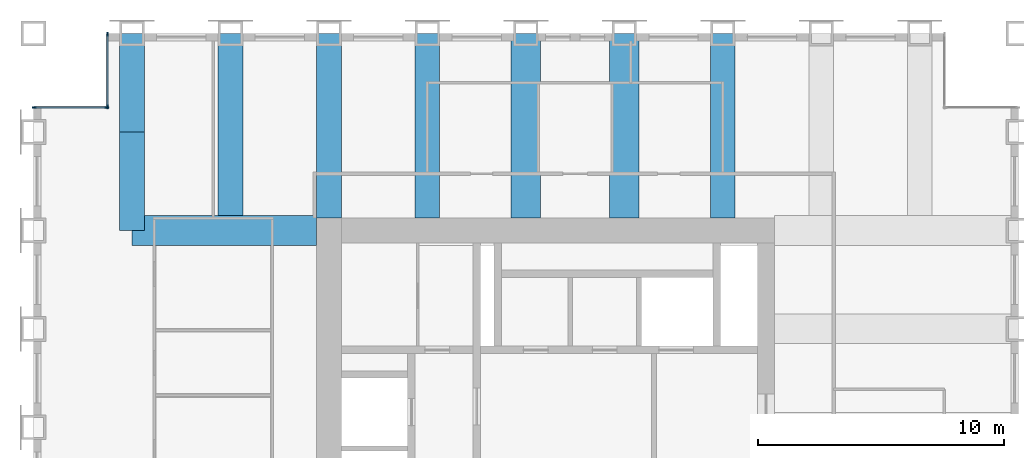
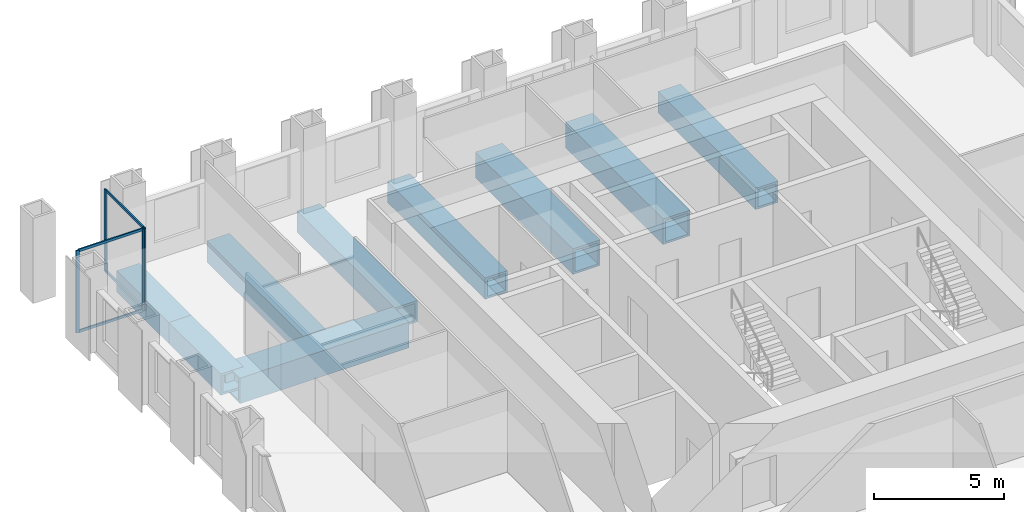
# One storey, part 4 of 10: 9 beams, 8 members, 2 elements without a shape of their own.
"""IFC4 building model written with IfcOpenShell, lengths in metres."""

from ifc_helpers import new_model, si_unit, direction, frame, origin, origin_2d, place, context, subcontext, project, spatial, rectangle, hollow_rectangle, extrude, material, material_profile, profile_set, type_object, element, aggregate, save


model = new_model("IFC4")

# Units and contexts
model_context = context("Model", 3, precision=1e-05, world=origin(), true_north=direction((0.0, 1.0)))
body_context = subcontext(model_context, "Body", "Model", "MODEL_VIEW")
ifc_project = project(units=[si_unit("LENGTHUNIT", "METRE"), si_unit("AREAUNIT", "SQUARE_METRE"), si_unit("VOLUMEUNIT", "CUBIC_METRE"), si_unit("PLANEANGLEUNIT", "RADIAN"), si_unit("MASSUNIT", "GRAM", prefix="KILO")], contexts=[model_context])

# Site, building, storey
site_placement = place(None, origin())
site = spatial("IfcSite", under=ifc_project, at=site_placement, CompositionType="ELEMENT")
building_placement = place(site_placement, origin())
building = spatial("IfcBuilding", under=site, at=building_placement, Name="Rimbunsela Tower", CompositionType="ELEMENT")
storey_placement = place(building_placement, frame((0.0, 0.0, 274.199951171875)))
storey = spatial("IfcBuildingStorey", under=building, at=storey_placement, Name="L66", CompositionType="ELEMENT", Elevation=274.199951171875)

# Beams
ifc_material_1 = material(Name="Steel BJ 55 (fy 410 MPa)", Category="steel")
ifc_material_profile_1 = material_profile(ifc_material_1, hollow_rectangle(XDim=1.0, YDim=1.0, WallThickness=0.10009765625, at=origin_2d()), Name="BOX 1000x1000x100")
ifc_profile_set_1 = profile_set([ifc_material_profile_1], Name="Steel BJ 55 (fy 410 MPa)")
beam_type_1 = type_object("IfcBeamType", Name="Beam BOX 1000x1000x100", PredefinedType="BEAM", material=ifc_profile_set_1)
for number, where, z_axis, x_axis, name in (
    (1, (10.0, 36.0, -0.64990234375), (0.0, 1.0, 0.0), (-1.0, 0.0, 0.0), "Beam B3 L66"),
    (2, (10.0, 40.0, -0.64990234375), (0.0, 1.0, 0.0), (-1.0, 0.0, 0.0), "Beam B3 L66"),
):
    element("IfcBeam", number, at=place(storey_placement, frame(where, z_axis=z_axis, x_axis=x_axis)), inside=storey, type_object=beam_type_1, Name=name, PredefinedType="BEAM", context=body_context, shape_type="SweptSolid", body=[
        extrude(hollow_rectangle(XDim=1.0, YDim=1.0, WallThickness=0.10009765625, at=origin_2d()), origin(), (0.0, 0.0, 1.0), 4.0),
    ])
beam_placement = place(storey_placement, frame((14.0, 36.60009765625, -0.64990234375), z_axis=(0.0, 1.0, 0.0), x_axis=(-1.0, 0.0, 0.0)))
element("IfcBeam", 3, at=beam_placement, inside=storey, type_object=beam_type_1, Name="Beam B3 L66", PredefinedType="BEAM", context=body_context, shape_type="SweptSolid", body=[
    extrude(hollow_rectangle(XDim=1.0, YDim=1.0, WallThickness=0.10009765625, at=origin_2d()), origin(), (0.0, 0.0, 1.0), 7.39990234375),
])
for number, where, z_axis, x_axis, name in (
    (4, (18.0, 36.5, -0.64990234375), (0.0, 1.0, 0.0), (-1.0, 0.0, 0.0), "Beam B3 L66"),
    (5, (22.0, 36.5, -0.64990234375), (0.0, 1.0, 0.0), (-1.0, 0.0, 0.0), "Beam B3 L66"),
    (6, (34.0, 36.5, -0.64990234375), (0.0, 1.0, 0.0), (-1.0, 0.0, 0.0), "Beam B3 L66"),
):
    element("IfcBeam", number, at=place(storey_placement, frame(where, z_axis=z_axis, x_axis=x_axis)), inside=storey, type_object=beam_type_1, Name=name, PredefinedType="BEAM", context=body_context, shape_type="SweptSolid", body=[
        extrude(hollow_rectangle(XDim=1.0, YDim=1.0, WallThickness=0.10009765625, at=origin_2d()), origin(), (0.0, 0.0, 1.0), 7.5),
    ])
ifc_material_2 = material(Name="Steel BJ 55 (fy 410 MPa)", Category="steel")
ifc_material_profile_2 = material_profile(ifc_material_2, hollow_rectangle(XDim=1.199951171875, YDim=1.199951171875, WallThickness=0.10009765625, at=origin_2d()), Name="BOX 1200x1200x100")
ifc_profile_set_2 = profile_set([ifc_material_profile_2], Name="Steel BJ 55 (fy 410 MPa)")
beam_type_2 = type_object("IfcBeamType", Name="Beam BOX 1200x1200x100", PredefinedType="BEAM", material=ifc_profile_set_2)
for number, where, z_axis, x_axis, name in (
    (7, (10.0, 36.0, -0.75), (1.0, 0.0, 0.0), (0.0, 1.0, 0.0), "Beam B5 L66"),
    (8, (26.0, 36.5, -0.75), (0.0, 1.0, 0.0), (-1.0, 0.0, 0.0), "Beam B5 L66"),
    (9, (30.0, 36.5, -0.75), (0.0, 1.0, 0.0), (-1.0, 0.0, 0.0), "Beam B5 L66"),
):
    element("IfcBeam", number, at=place(storey_placement, frame(where, z_axis=z_axis, x_axis=x_axis)), inside=storey, type_object=beam_type_2, Name=name, PredefinedType="BEAM", context=body_context, shape_type="SweptSolid", body=[
        extrude(hollow_rectangle(XDim=1.199951171875, YDim=1.199951171875, WallThickness=0.10009765625, at=origin_2d()), origin(), (0.0, 0.0, 1.0), 7.5),
    ])

# Curtain wall, members
ifc_material_3 = material(Name="Aluminium curtain wall", Category="aluminium")
curtain_wall_type = type_object("IfcCurtainWallType", Name="Corner glazing", PredefinedType="USERDEFINED", material=ifc_material_3)
curtain_wall_1_placement = place(storey_placement, origin())
curtain_wall_1 = element("IfcCurtainWall", 10, at=curtain_wall_1_placement, inside=storey, type_object=curtain_wall_type, Name="Corner glazing L66", ObjectType="CORNER GLAZING", PredefinedType="USERDEFINED")
ifc_material_4 = material(Name="Aluminium mullion", Category="aluminium")
ifc_material_profile_3 = material_profile(ifc_material_4, rectangle(XDim=0.06005859375, YDim=0.159912109375, at=origin_2d()), Name="Mullion 60x160")
ifc_profile_set_3 = profile_set([ifc_material_profile_3], Name="Aluminium mullion")
member_type_1 = type_object("IfcMemberType", Name="Curtain wall mullion 60x160", PredefinedType="MULLION", material=ifc_profile_set_3)
member_1_placement = place(storey_placement, frame((9.0, 43.969970703125, 0.0), z_axis=(0.0, 0.0, 1.0), x_axis=(1.0, 0.0, 0.0)))
member_1 = element("IfcMember", 11, at=member_1_placement, type_object=member_type_1, Name="CW5 mullion 1", PredefinedType="MULLION", context=body_context, shape_type="SweptSolid", body=[
    extrude(rectangle(XDim=0.06005859375, YDim=0.159912109375, at=origin_2d()), origin(), (0.0, 0.0, 1.0), 3.85009765625),
])
member_2_placement = place(storey_placement, frame((9.0, 41.030029296875, 0.0), z_axis=(0.0, 0.0, 1.0), x_axis=(1.0, 0.0, 0.0)))
member_2 = element("IfcMember", 12, at=member_2_placement, type_object=member_type_1, Name="CW5 mullion 2", PredefinedType="MULLION", context=body_context, shape_type="SweptSolid", body=[
    extrude(rectangle(XDim=0.06005859375, YDim=0.159912109375, at=origin_2d()), origin(), (0.0, 0.0, 1.0), 3.85009765625),
])

curtain_wall_2_placement = place(storey_placement, origin())
curtain_wall_2 = element("IfcCurtainWall", 13, at=curtain_wall_2_placement, inside=storey, type_object=curtain_wall_type, Name="Corner glazing L66", ObjectType="CORNER GLAZING", PredefinedType="USERDEFINED")
member_3_placement = place(storey_placement, frame((8.969970703125, 41.0, 0.0), z_axis=(0.0, 0.0, 1.0), x_axis=(0.0, -1.0, 0.0)))
member_3 = element("IfcMember", 14, at=member_3_placement, type_object=member_type_1, Name="CW5 mullion 1", PredefinedType="MULLION", context=body_context, shape_type="SweptSolid", body=[
    extrude(rectangle(XDim=0.06005859375, YDim=0.159912109375, at=origin_2d()), origin(), (0.0, 0.0, 1.0), 3.85009765625),
])
member_4_placement = place(storey_placement, frame((6.030029296875, 41.0, 0.0), z_axis=(0.0, 0.0, 1.0), x_axis=(0.0, -1.0, 0.0)))
member_4 = element("IfcMember", 15, at=member_4_placement, type_object=member_type_1, Name="CW5 mullion 2", PredefinedType="MULLION", context=body_context, shape_type="SweptSolid", body=[
    extrude(rectangle(XDim=0.06005859375, YDim=0.159912109375, at=origin_2d()), origin(), (0.0, 0.0, 1.0), 3.85009765625),
])

# Member
ifc_material_5 = material(Name="Aluminium transom", Category="aluminium")
ifc_material_profile_4 = material_profile(ifc_material_5, rectangle(XDim=0.06005859375, YDim=0.1201171875, at=origin_2d()), Name="Transom 60x120")
ifc_profile_set_4 = profile_set([ifc_material_profile_4], Name="Aluminium transom")
member_type_2 = type_object("IfcMemberType", Name="Curtain wall transom 60x120", PredefinedType="USERDEFINED", material=ifc_profile_set_4)
member_5_placement = place(storey_placement, frame((9.0, 43.93994140625, 0.030029296875), z_axis=(0.0, -1.0, 0.0), x_axis=(1.0, 0.0, 0.0)))
member_5 = element("IfcMember", 16, at=member_5_placement, type_object=member_type_2, Name="CW5 transom 1.1", ObjectType="TRANSOM", PredefinedType="USERDEFINED", context=body_context, shape_type="SweptSolid", body=[
    extrude(rectangle(XDim=0.06005859375, YDim=0.1201171875, at=origin_2d()), origin(), (0.0, 0.0, 1.0), 2.8798828125),
])

member_6_placement = place(storey_placement, frame((9.0, 43.93994140625, 3.820068359375), z_axis=(0.0, -1.0, 0.0), x_axis=(1.0, 0.0, 0.0)))
member_6 = element("IfcMember", 17, at=member_6_placement, type_object=member_type_2, Name="CW5 transom 1.2", ObjectType="TRANSOM", PredefinedType="USERDEFINED", context=body_context, shape_type="SweptSolid", body=[
    extrude(rectangle(XDim=0.06005859375, YDim=0.1201171875, at=origin_2d()), origin(), (0.0, 0.0, 1.0), 2.8798828125),
])

aggregate(curtain_wall_1, [member_1, member_2, member_5, member_6])

member_7_placement = place(storey_placement, frame((8.93994140625, 41.0, 0.030029296875), z_axis=(-1.0, 0.0, 0.0), x_axis=(0.0, -1.0, 0.0)))
member_7 = element("IfcMember", 18, at=member_7_placement, type_object=member_type_2, Name="CW5 transom 1.1", ObjectType="TRANSOM", PredefinedType="USERDEFINED", context=body_context, shape_type="SweptSolid", body=[
    extrude(rectangle(XDim=0.06005859375, YDim=0.1201171875, at=origin_2d()), origin(), (0.0, 0.0, 1.0), 2.8798828125),
])

member_8_placement = place(storey_placement, frame((8.93994140625, 41.0, 3.820068359375), z_axis=(-1.0, 0.0, 0.0), x_axis=(0.0, -1.0, 0.0)))
member_8 = element("IfcMember", 19, at=member_8_placement, type_object=member_type_2, Name="CW5 transom 1.2", ObjectType="TRANSOM", PredefinedType="USERDEFINED", context=body_context, shape_type="SweptSolid", body=[
    extrude(rectangle(XDim=0.06005859375, YDim=0.1201171875, at=origin_2d()), origin(), (0.0, 0.0, 1.0), 2.8798828125),
])

aggregate(curtain_wall_2, [member_3, member_4, member_7, member_8])

save(model, "model.ifc")
